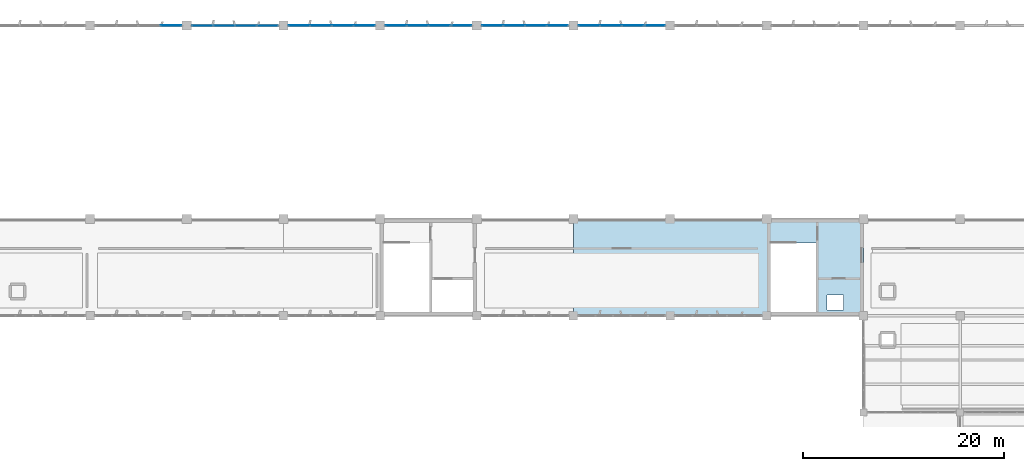
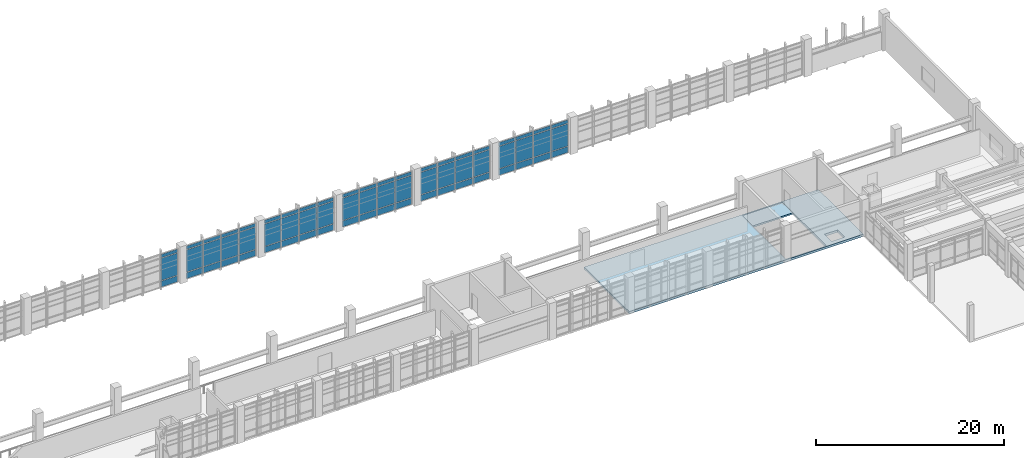
# One storey, part 53 of 86: 63 plates, 2 slabs, 6 elements without a shape of their own.
"""IFC4 building model written with IfcOpenShell, lengths in metres."""

from ifc_helpers import new_model, si_unit, direction, frame, origin, origin_2d, place, context, subcontext, project, spatial, polyline, rectangle, outline, extrude, material, layer, layer_set, type_object, element, aggregate, save


model = new_model("IFC4")

# Units and contexts
model_context = context("Model", 3, precision=1e-05, world=origin(), true_north=direction((0.0, 1.0)))
body_context = subcontext(model_context, "Body", "Model", "MODEL_VIEW")
ifc_project = project(units=[si_unit("LENGTHUNIT", "METRE"), si_unit("AREAUNIT", "SQUARE_METRE"), si_unit("VOLUMEUNIT", "CUBIC_METRE"), si_unit("PLANEANGLEUNIT", "RADIAN"), si_unit("MASSUNIT", "GRAM", prefix="KILO")], contexts=[model_context])

# Site, building, storey
site_placement = place(None, origin())
site = spatial("IfcSite", under=ifc_project, at=site_placement, CompositionType="ELEMENT")
building_placement = place(site_placement, origin())
building = spatial("IfcBuilding", under=site, at=building_placement, Name="Kolvemor Railside Polytechnic", CompositionType="ELEMENT")
storey_placement = place(building_placement, frame((0.0, 0.0, 5.39990234375)))
storey = spatial("IfcBuildingStorey", under=building, at=storey_placement, Name="L01", CompositionType="ELEMENT", Elevation=5.39990234375)

# Curtain wall, plates
ifc_material_1 = material(Name="Anodised marine aluminium and laminated low-E glass", Category="aluminium")
ifc_layer_1 = layer(ifc_material_1, 0.179931640625, Name="CW-UNIT-WKS")
ifc_layer_set_1 = layer_set([ifc_layer_1], Name="Anodised marine aluminium and laminated low-E glass")
curtain_wall_type = type_object("IfcCurtainWallType", Name="CW-UNIT-WKS", PredefinedType="USERDEFINED", material=ifc_layer_set_1)
curtain_wall_1_placement = place(storey_placement, origin())
curtain_wall_1 = element("IfcCurtainWall", 1, at=curtain_wall_1_placement, inside=storey, type_object=curtain_wall_type, Name="Curtain Wall L01-010", ObjectType="UNITISED CURTAIN WALL", PredefinedType="USERDEFINED")
ifc_material_2 = material(Name="Hurricane-laminated solar-control low-E glass", Category="glass")
ifc_layer_2 = layer(ifc_material_2, 0.033935546875, Name="CWP-GLZ-07")
ifc_layer_set_2 = layer_set([ifc_layer_2], Name="Hurricane-laminated solar-control low-E glass")
plate_type_1 = type_object("IfcPlateType", Name="CWP-GLZ-07", PredefinedType="CURTAIN_PANEL", material=ifc_layer_set_2)
plate_1_placement = place(storey_placement, frame((75.228759765625, 120.0, 0.074951171875), z_axis=(0.0, 0.0, 1.0), x_axis=(-1.0, 0.0, 0.0)))
plate_1 = element("IfcPlate", 2, at=plate_1_placement, type_object=plate_type_1, Name="CW-WKS panel 1.1", PredefinedType="CURTAIN_PANEL", context=body_context, shape_type="SweptSolid", body=[
    extrude(rectangle(XDim=2.052490234375, YDim=0.033935546875, at=origin_2d()), origin(), (0.0, 0.0, 1.0), 0.78759765625),
])
plate_2_placement = place(storey_placement, frame((75.228759765625, 120.0, 0.9375), z_axis=(0.0, 0.0, 1.0), x_axis=(-1.0, 0.0, 0.0)))
plate_2 = element("IfcPlate", 3, at=plate_2_placement, type_object=plate_type_1, Name="CW-WKS panel 1.2", PredefinedType="CURTAIN_PANEL", context=body_context, shape_type="SweptSolid", body=[
    extrude(rectangle(XDim=2.052490234375, YDim=0.033935546875, at=origin_2d()), origin(), (0.0, 0.0, 1.0), 2.875),
])
plate_3_placement = place(storey_placement, frame((75.228759765625, 120.0, 3.8876953125), z_axis=(0.0, 0.0, 1.0), x_axis=(-1.0, 0.0, 0.0)))
plate_3 = element("IfcPlate", 4, at=plate_3_placement, type_object=plate_type_1, Name="CW-WKS panel 1.3", PredefinedType="CURTAIN_PANEL", context=body_context, shape_type="SweptSolid", body=[
    extrude(rectangle(XDim=2.052490234375, YDim=0.033935546875, at=origin_2d()), origin(), (0.0, 0.0, 1.0), 0.4375),
])
plate_4_placement = place(storey_placement, frame((73.08251953125, 120.0, 0.074951171875), z_axis=(0.0, 0.0, 1.0), x_axis=(-1.0, 0.0, 0.0)))
plate_4 = element("IfcPlate", 5, at=plate_4_placement, type_object=plate_type_1, Name="CW-WKS panel 2.1", PredefinedType="CURTAIN_PANEL", context=body_context, shape_type="SweptSolid", body=[
    extrude(rectangle(XDim=2.090087890625, YDim=0.033935546875, at=origin_2d()), origin(), (0.0, 0.0, 1.0), 0.78759765625),
])
plate_5_placement = place(storey_placement, frame((73.08251953125, 120.0, 0.9375), z_axis=(0.0, 0.0, 1.0), x_axis=(-1.0, 0.0, 0.0)))
plate_5 = element("IfcPlate", 6, at=plate_5_placement, type_object=plate_type_1, Name="CW-WKS panel 2.2", PredefinedType="CURTAIN_PANEL", context=body_context, shape_type="SweptSolid", body=[
    extrude(rectangle(XDim=2.090087890625, YDim=0.033935546875, at=origin_2d()), origin(), (0.0, 0.0, 1.0), 2.875),
])
plate_6_placement = place(storey_placement, frame((73.08251953125, 120.0, 3.8876953125), z_axis=(0.0, 0.0, 1.0), x_axis=(-1.0, 0.0, 0.0)))
plate_6 = element("IfcPlate", 7, at=plate_6_placement, type_object=plate_type_1, Name="CW-WKS panel 2.3", PredefinedType="CURTAIN_PANEL", context=body_context, shape_type="SweptSolid", body=[
    extrude(rectangle(XDim=2.090087890625, YDim=0.033935546875, at=origin_2d()), origin(), (0.0, 0.0, 1.0), 0.4375),
])
plate_7_placement = place(storey_placement, frame((70.91748046875, 120.0, 0.074951171875), z_axis=(0.0, 0.0, 1.0), x_axis=(-1.0, 0.0, 0.0)))
plate_7 = element("IfcPlate", 8, at=plate_7_placement, type_object=plate_type_1, Name="CW-WKS panel 3.1", PredefinedType="CURTAIN_PANEL", context=body_context, shape_type="SweptSolid", body=[
    extrude(rectangle(XDim=2.090087890625, YDim=0.033935546875, at=origin_2d()), origin(), (0.0, 0.0, 1.0), 0.78759765625),
])
plate_8_placement = place(storey_placement, frame((70.91748046875, 120.0, 0.9375), z_axis=(0.0, 0.0, 1.0), x_axis=(-1.0, 0.0, 0.0)))
plate_8 = element("IfcPlate", 9, at=plate_8_placement, type_object=plate_type_1, Name="CW-WKS panel 3.2", PredefinedType="CURTAIN_PANEL", context=body_context, shape_type="SweptSolid", body=[
    extrude(rectangle(XDim=2.090087890625, YDim=0.033935546875, at=origin_2d()), origin(), (0.0, 0.0, 1.0), 2.875),
])
plate_9_placement = place(storey_placement, frame((70.91748046875, 120.0, 3.8876953125), z_axis=(0.0, 0.0, 1.0), x_axis=(-1.0, 0.0, 0.0)))
plate_9 = element("IfcPlate", 10, at=plate_9_placement, type_object=plate_type_1, Name="CW-WKS panel 3.3", PredefinedType="CURTAIN_PANEL", context=body_context, shape_type="SweptSolid", body=[
    extrude(rectangle(XDim=2.090087890625, YDim=0.033935546875, at=origin_2d()), origin(), (0.0, 0.0, 1.0), 0.4375),
])
plate_10_placement = place(storey_placement, frame((68.771240234375, 120.0, 0.074951171875), z_axis=(0.0, 0.0, 1.0), x_axis=(-1.0, 0.0, 0.0)))
plate_10 = element("IfcPlate", 11, at=plate_10_placement, type_object=plate_type_1, Name="CW-WKS panel 4.1", PredefinedType="CURTAIN_PANEL", context=body_context, shape_type="SweptSolid", body=[
    extrude(rectangle(XDim=2.052490234375, YDim=0.033935546875, at=origin_2d()), origin(), (0.0, 0.0, 1.0), 0.78759765625),
])
plate_11_placement = place(storey_placement, frame((68.771240234375, 120.0, 0.9375), z_axis=(0.0, 0.0, 1.0), x_axis=(-1.0, 0.0, 0.0)))
plate_11 = element("IfcPlate", 12, at=plate_11_placement, type_object=plate_type_1, Name="CW-WKS panel 4.2", PredefinedType="CURTAIN_PANEL", context=body_context, shape_type="SweptSolid", body=[
    extrude(rectangle(XDim=2.052490234375, YDim=0.033935546875, at=origin_2d()), origin(), (0.0, 0.0, 1.0), 2.875),
])
plate_12_placement = place(storey_placement, frame((68.771240234375, 120.0, 3.8876953125), z_axis=(0.0, 0.0, 1.0), x_axis=(-1.0, 0.0, 0.0)))
plate_12 = element("IfcPlate", 13, at=plate_12_placement, type_object=plate_type_1, Name="CW-WKS panel 4.3", PredefinedType="CURTAIN_PANEL", context=body_context, shape_type="SweptSolid", body=[
    extrude(rectangle(XDim=2.052490234375, YDim=0.033935546875, at=origin_2d()), origin(), (0.0, 0.0, 1.0), 0.4375),
])
aggregate(curtain_wall_1, [plate_1, plate_2, plate_3, plate_4, plate_5, plate_6, plate_7, plate_8, plate_9, plate_10, plate_11, plate_12])

curtain_wall_2_placement = place(storey_placement, origin())
curtain_wall_2 = element("IfcCurtainWall", 14, at=curtain_wall_2_placement, inside=storey, type_object=curtain_wall_type, Name="Curtain Wall L01-008", ObjectType="UNITISED CURTAIN WALL", PredefinedType="USERDEFINED")
ifc_material_3 = material(Name="Hurricane-laminated solar-control low-E glass", Category="glass")
ifc_layer_3 = layer(ifc_material_3, 0.0380859375, Name="CWP-GLZ-09")
ifc_layer_set_3 = layer_set([ifc_layer_3], Name="Hurricane-laminated solar-control low-E glass")
plate_type_2 = type_object("IfcPlateType", Name="CWP-GLZ-09", PredefinedType="CURTAIN_PANEL", material=ifc_layer_set_3)
plate_13_placement = place(storey_placement, frame((65.628662109375, 120.0, 0.074951171875), z_axis=(0.0, 0.0, 1.0), x_axis=(-1.0, 0.0, 0.0)))
plate_13 = element("IfcPlate", 15, at=plate_13_placement, type_object=plate_type_2, Name="CW-WKS panel 1.1", PredefinedType="CURTAIN_PANEL", context=body_context, shape_type="SweptSolid", body=[
    extrude(rectangle(XDim=2.052490234375, YDim=0.0380859375, at=origin_2d()), origin(), (0.0, 0.0, 1.0), 0.78759765625),
])
plate_14_placement = place(storey_placement, frame((65.628662109375, 120.0, 0.9375), z_axis=(0.0, 0.0, 1.0), x_axis=(-1.0, 0.0, 0.0)))
plate_14 = element("IfcPlate", 16, at=plate_14_placement, type_object=plate_type_2, Name="CW-WKS panel 1.2", PredefinedType="CURTAIN_PANEL", context=body_context, shape_type="SweptSolid", body=[
    extrude(rectangle(XDim=2.052490234375, YDim=0.0380859375, at=origin_2d()), origin(), (0.0, 0.0, 1.0), 2.875),
])
plate_15_placement = place(storey_placement, frame((65.628662109375, 120.0, 3.8876953125), z_axis=(0.0, 0.0, 1.0), x_axis=(-1.0, 0.0, 0.0)))
plate_15 = element("IfcPlate", 17, at=plate_15_placement, type_object=plate_type_2, Name="CW-WKS panel 1.3", PredefinedType="CURTAIN_PANEL", context=body_context, shape_type="SweptSolid", body=[
    extrude(rectangle(XDim=2.052490234375, YDim=0.0380859375, at=origin_2d()), origin(), (0.0, 0.0, 1.0), 0.4375),
])
aggregate(curtain_wall_2, [plate_13, plate_14, plate_15])

curtain_wall_3_placement = place(storey_placement, origin())
curtain_wall_3 = element("IfcCurtainWall", 18, at=curtain_wall_3_placement, inside=storey, type_object=curtain_wall_type, Name="Curtain Wall L01-017", ObjectType="UNITISED CURTAIN WALL", PredefinedType="USERDEFINED")
ifc_material_4 = material(Name="Hurricane-laminated solar-control low-E glass", Category="glass")
ifc_layer_4 = layer(ifc_material_4, 0.0400390625, Name="CWP-GLZ-10")
ifc_layer_set_4 = layer_set([ifc_layer_4], Name="Hurricane-laminated solar-control low-E glass")
plate_type_3 = type_object("IfcPlateType", Name="CWP-GLZ-10", PredefinedType="CURTAIN_PANEL", material=ifc_layer_set_4)
plate_16_placement = place(storey_placement, frame((104.02880859375, 120.0, 0.074951171875), z_axis=(0.0, 0.0, 1.0), x_axis=(-1.0, 0.0, 0.0)))
plate_16 = element("IfcPlate", 19, at=plate_16_placement, type_object=plate_type_3, Name="CW-WKS panel 1.1", PredefinedType="CURTAIN_PANEL", context=body_context, shape_type="SweptSolid", body=[
    extrude(rectangle(XDim=2.052490234375, YDim=0.0400390625, at=origin_2d()), origin(), (0.0, 0.0, 1.0), 0.78759765625),
])
plate_17_placement = place(storey_placement, frame((104.02880859375, 120.0, 0.9375), z_axis=(0.0, 0.0, 1.0), x_axis=(-1.0, 0.0, 0.0)))
plate_17 = element("IfcPlate", 20, at=plate_17_placement, type_object=plate_type_3, Name="CW-WKS panel 1.2", PredefinedType="CURTAIN_PANEL", context=body_context, shape_type="SweptSolid", body=[
    extrude(rectangle(XDim=2.052490234375, YDim=0.0400390625, at=origin_2d()), origin(), (0.0, 0.0, 1.0), 2.875),
])
plate_18_placement = place(storey_placement, frame((104.02880859375, 120.0, 3.8876953125), z_axis=(0.0, 0.0, 1.0), x_axis=(-1.0, 0.0, 0.0)))
plate_18 = element("IfcPlate", 21, at=plate_18_placement, type_object=plate_type_3, Name="CW-WKS panel 1.3", PredefinedType="CURTAIN_PANEL", context=body_context, shape_type="SweptSolid", body=[
    extrude(rectangle(XDim=2.052490234375, YDim=0.0400390625, at=origin_2d()), origin(), (0.0, 0.0, 1.0), 0.4375),
])
plate_19_placement = place(storey_placement, frame((101.882568359375, 120.0, 0.074951171875), z_axis=(0.0, 0.0, 1.0), x_axis=(-1.0, 0.0, 0.0)))
plate_19 = element("IfcPlate", 22, at=plate_19_placement, type_object=plate_type_3, Name="CW-WKS panel 2.1", PredefinedType="CURTAIN_PANEL", context=body_context, shape_type="SweptSolid", body=[
    extrude(rectangle(XDim=2.090087890625, YDim=0.0400390625, at=origin_2d()), origin(), (0.0, 0.0, 1.0), 0.78759765625),
])
plate_20_placement = place(storey_placement, frame((101.882568359375, 120.0, 0.9375), z_axis=(0.0, 0.0, 1.0), x_axis=(-1.0, 0.0, 0.0)))
plate_20 = element("IfcPlate", 23, at=plate_20_placement, type_object=plate_type_3, Name="CW-WKS panel 2.2", PredefinedType="CURTAIN_PANEL", context=body_context, shape_type="SweptSolid", body=[
    extrude(rectangle(XDim=2.090087890625, YDim=0.0400390625, at=origin_2d()), origin(), (0.0, 0.0, 1.0), 2.875),
])
plate_21_placement = place(storey_placement, frame((101.882568359375, 120.0, 3.8876953125), z_axis=(0.0, 0.0, 1.0), x_axis=(-1.0, 0.0, 0.0)))
plate_21 = element("IfcPlate", 24, at=plate_21_placement, type_object=plate_type_3, Name="CW-WKS panel 2.3", PredefinedType="CURTAIN_PANEL", context=body_context, shape_type="SweptSolid", body=[
    extrude(rectangle(XDim=2.090087890625, YDim=0.0400390625, at=origin_2d()), origin(), (0.0, 0.0, 1.0), 0.4375),
])
plate_22_placement = place(storey_placement, frame((99.717529296875, 120.0, 0.074951171875), z_axis=(0.0, 0.0, 1.0), x_axis=(-1.0, 0.0, 0.0)))
plate_22 = element("IfcPlate", 25, at=plate_22_placement, type_object=plate_type_3, Name="CW-WKS panel 3.1", PredefinedType="CURTAIN_PANEL", context=body_context, shape_type="SweptSolid", body=[
    extrude(rectangle(XDim=2.090087890625, YDim=0.0400390625, at=origin_2d()), origin(), (0.0, 0.0, 1.0), 0.78759765625),
])
plate_23_placement = place(storey_placement, frame((99.717529296875, 120.0, 0.9375), z_axis=(0.0, 0.0, 1.0), x_axis=(-1.0, 0.0, 0.0)))
plate_23 = element("IfcPlate", 26, at=plate_23_placement, type_object=plate_type_3, Name="CW-WKS panel 3.2", PredefinedType="CURTAIN_PANEL", context=body_context, shape_type="SweptSolid", body=[
    extrude(rectangle(XDim=2.090087890625, YDim=0.0400390625, at=origin_2d()), origin(), (0.0, 0.0, 1.0), 2.875),
])
plate_24_placement = place(storey_placement, frame((99.717529296875, 120.0, 3.8876953125), z_axis=(0.0, 0.0, 1.0), x_axis=(-1.0, 0.0, 0.0)))
plate_24 = element("IfcPlate", 27, at=plate_24_placement, type_object=plate_type_3, Name="CW-WKS panel 3.3", PredefinedType="CURTAIN_PANEL", context=body_context, shape_type="SweptSolid", body=[
    extrude(rectangle(XDim=2.090087890625, YDim=0.0400390625, at=origin_2d()), origin(), (0.0, 0.0, 1.0), 0.4375),
])
plate_25_placement = place(storey_placement, frame((97.5712890625, 120.0, 0.074951171875), z_axis=(0.0, 0.0, 1.0), x_axis=(-1.0, 0.0, 0.0)))
plate_25 = element("IfcPlate", 28, at=plate_25_placement, type_object=plate_type_3, Name="CW-WKS panel 4.1", PredefinedType="CURTAIN_PANEL", context=body_context, shape_type="SweptSolid", body=[
    extrude(rectangle(XDim=2.052490234375, YDim=0.0400390625, at=origin_2d()), origin(), (0.0, 0.0, 1.0), 0.78759765625),
])
plate_26_placement = place(storey_placement, frame((97.5712890625, 120.0, 0.9375), z_axis=(0.0, 0.0, 1.0), x_axis=(-1.0, 0.0, 0.0)))
plate_26 = element("IfcPlate", 29, at=plate_26_placement, type_object=plate_type_3, Name="CW-WKS panel 4.2", PredefinedType="CURTAIN_PANEL", context=body_context, shape_type="SweptSolid", body=[
    extrude(rectangle(XDim=2.052490234375, YDim=0.0400390625, at=origin_2d()), origin(), (0.0, 0.0, 1.0), 2.875),
])
plate_27_placement = place(storey_placement, frame((97.5712890625, 120.0, 3.8876953125), z_axis=(0.0, 0.0, 1.0), x_axis=(-1.0, 0.0, 0.0)))
plate_27 = element("IfcPlate", 30, at=plate_27_placement, type_object=plate_type_3, Name="CW-WKS panel 4.3", PredefinedType="CURTAIN_PANEL", context=body_context, shape_type="SweptSolid", body=[
    extrude(rectangle(XDim=2.052490234375, YDim=0.0400390625, at=origin_2d()), origin(), (0.0, 0.0, 1.0), 0.4375),
])
aggregate(curtain_wall_3, [plate_16, plate_17, plate_18, plate_19, plate_20, plate_21, plate_22, plate_23, plate_24, plate_25, plate_26, plate_27])

curtain_wall_4_placement = place(storey_placement, origin())
curtain_wall_4 = element("IfcCurtainWall", 31, at=curtain_wall_4_placement, inside=storey, type_object=curtain_wall_type, Name="Curtain Wall L01-013", ObjectType="UNITISED CURTAIN WALL", PredefinedType="USERDEFINED")
ifc_material_5 = material(Name="Hurricane-laminated solar-control low-E glass", Category="glass")
ifc_layer_5 = layer(ifc_material_5, 0.0419921875, Name="CWP-GLZ-11")
ifc_layer_set_5 = layer_set([ifc_layer_5], Name="Hurricane-laminated solar-control low-E glass")
plate_type_4 = type_object("IfcPlateType", Name="CWP-GLZ-11", PredefinedType="CURTAIN_PANEL", material=ifc_layer_set_5)
plate_28_placement = place(storey_placement, frame((84.828857421875, 120.0, 0.074951171875), z_axis=(0.0, 0.0, 1.0), x_axis=(-1.0, 0.0, 0.0)))
plate_28 = element("IfcPlate", 32, at=plate_28_placement, type_object=plate_type_4, Name="CW-WKS panel 1.1", PredefinedType="CURTAIN_PANEL", context=body_context, shape_type="SweptSolid", body=[
    extrude(rectangle(XDim=2.052490234375, YDim=0.0419921875, at=origin_2d()), origin(), (0.0, 0.0, 1.0), 0.78759765625),
])
plate_29_placement = place(storey_placement, frame((84.828857421875, 120.0, 0.9375), z_axis=(0.0, 0.0, 1.0), x_axis=(-1.0, 0.0, 0.0)))
plate_29 = element("IfcPlate", 33, at=plate_29_placement, type_object=plate_type_4, Name="CW-WKS panel 1.2", PredefinedType="CURTAIN_PANEL", context=body_context, shape_type="SweptSolid", body=[
    extrude(rectangle(XDim=2.052490234375, YDim=0.0419921875, at=origin_2d()), origin(), (0.0, 0.0, 1.0), 2.875),
])
plate_30_placement = place(storey_placement, frame((84.828857421875, 120.0, 3.8876953125), z_axis=(0.0, 0.0, 1.0), x_axis=(-1.0, 0.0, 0.0)))
plate_30 = element("IfcPlate", 34, at=plate_30_placement, type_object=plate_type_4, Name="CW-WKS panel 1.3", PredefinedType="CURTAIN_PANEL", context=body_context, shape_type="SweptSolid", body=[
    extrude(rectangle(XDim=2.052490234375, YDim=0.0419921875, at=origin_2d()), origin(), (0.0, 0.0, 1.0), 0.4375),
])
plate_31_placement = place(storey_placement, frame((82.6826171875, 120.0, 0.074951171875), z_axis=(0.0, 0.0, 1.0), x_axis=(-1.0, 0.0, 0.0)))
plate_31 = element("IfcPlate", 35, at=plate_31_placement, type_object=plate_type_4, Name="CW-WKS panel 2.1", PredefinedType="CURTAIN_PANEL", context=body_context, shape_type="SweptSolid", body=[
    extrude(rectangle(XDim=2.090087890625, YDim=0.0419921875, at=origin_2d()), origin(), (0.0, 0.0, 1.0), 0.78759765625),
])
plate_32_placement = place(storey_placement, frame((82.6826171875, 120.0, 0.9375), z_axis=(0.0, 0.0, 1.0), x_axis=(-1.0, 0.0, 0.0)))
plate_32 = element("IfcPlate", 36, at=plate_32_placement, type_object=plate_type_4, Name="CW-WKS panel 2.2", PredefinedType="CURTAIN_PANEL", context=body_context, shape_type="SweptSolid", body=[
    extrude(rectangle(XDim=2.090087890625, YDim=0.0419921875, at=origin_2d()), origin(), (0.0, 0.0, 1.0), 2.875),
])
plate_33_placement = place(storey_placement, frame((82.6826171875, 120.0, 3.8876953125), z_axis=(0.0, 0.0, 1.0), x_axis=(-1.0, 0.0, 0.0)))
plate_33 = element("IfcPlate", 37, at=plate_33_placement, type_object=plate_type_4, Name="CW-WKS panel 2.3", PredefinedType="CURTAIN_PANEL", context=body_context, shape_type="SweptSolid", body=[
    extrude(rectangle(XDim=2.090087890625, YDim=0.0419921875, at=origin_2d()), origin(), (0.0, 0.0, 1.0), 0.4375),
])
plate_34_placement = place(storey_placement, frame((80.517578125, 120.0, 0.074951171875), z_axis=(0.0, 0.0, 1.0), x_axis=(-1.0, 0.0, 0.0)))
plate_34 = element("IfcPlate", 38, at=plate_34_placement, type_object=plate_type_4, Name="CW-WKS panel 3.1", PredefinedType="CURTAIN_PANEL", context=body_context, shape_type="SweptSolid", body=[
    extrude(rectangle(XDim=2.090087890625, YDim=0.0419921875, at=origin_2d()), origin(), (0.0, 0.0, 1.0), 0.78759765625),
])
plate_35_placement = place(storey_placement, frame((80.517578125, 120.0, 0.9375), z_axis=(0.0, 0.0, 1.0), x_axis=(-1.0, 0.0, 0.0)))
plate_35 = element("IfcPlate", 39, at=plate_35_placement, type_object=plate_type_4, Name="CW-WKS panel 3.2", PredefinedType="CURTAIN_PANEL", context=body_context, shape_type="SweptSolid", body=[
    extrude(rectangle(XDim=2.090087890625, YDim=0.0419921875, at=origin_2d()), origin(), (0.0, 0.0, 1.0), 2.875),
])
plate_36_placement = place(storey_placement, frame((80.517578125, 120.0, 3.8876953125), z_axis=(0.0, 0.0, 1.0), x_axis=(-1.0, 0.0, 0.0)))
plate_36 = element("IfcPlate", 40, at=plate_36_placement, type_object=plate_type_4, Name="CW-WKS panel 3.3", PredefinedType="CURTAIN_PANEL", context=body_context, shape_type="SweptSolid", body=[
    extrude(rectangle(XDim=2.090087890625, YDim=0.0419921875, at=origin_2d()), origin(), (0.0, 0.0, 1.0), 0.4375),
])
plate_37_placement = place(storey_placement, frame((78.371337890625, 120.0, 0.074951171875), z_axis=(0.0, 0.0, 1.0), x_axis=(-1.0, 0.0, 0.0)))
plate_37 = element("IfcPlate", 41, at=plate_37_placement, type_object=plate_type_4, Name="CW-WKS panel 4.1", PredefinedType="CURTAIN_PANEL", context=body_context, shape_type="SweptSolid", body=[
    extrude(rectangle(XDim=2.052490234375, YDim=0.0419921875, at=origin_2d()), origin(), (0.0, 0.0, 1.0), 0.78759765625),
])
plate_38_placement = place(storey_placement, frame((78.371337890625, 120.0, 0.9375), z_axis=(0.0, 0.0, 1.0), x_axis=(-1.0, 0.0, 0.0)))
plate_38 = element("IfcPlate", 42, at=plate_38_placement, type_object=plate_type_4, Name="CW-WKS panel 4.2", PredefinedType="CURTAIN_PANEL", context=body_context, shape_type="SweptSolid", body=[
    extrude(rectangle(XDim=2.052490234375, YDim=0.0419921875, at=origin_2d()), origin(), (0.0, 0.0, 1.0), 2.875),
])
plate_39_placement = place(storey_placement, frame((78.371337890625, 120.0, 3.8876953125), z_axis=(0.0, 0.0, 1.0), x_axis=(-1.0, 0.0, 0.0)))
plate_39 = element("IfcPlate", 43, at=plate_39_placement, type_object=plate_type_4, Name="CW-WKS panel 4.3", PredefinedType="CURTAIN_PANEL", context=body_context, shape_type="SweptSolid", body=[
    extrude(rectangle(XDim=2.052490234375, YDim=0.0419921875, at=origin_2d()), origin(), (0.0, 0.0, 1.0), 0.4375),
])
aggregate(curtain_wall_4, [plate_28, plate_29, plate_30, plate_31, plate_32, plate_33, plate_34, plate_35, plate_36, plate_37, plate_38, plate_39])

curtain_wall_5_placement = place(storey_placement, origin())
curtain_wall_5 = element("IfcCurtainWall", 44, at=curtain_wall_5_placement, inside=storey, type_object=curtain_wall_type, Name="Curtain Wall L01-016", ObjectType="UNITISED CURTAIN WALL", PredefinedType="USERDEFINED")
ifc_material_6 = material(Name="Hurricane-laminated solar-control low-E glass", Category="glass")
ifc_layer_6 = layer(ifc_material_6, 0.0439453125, Name="CWP-GLZ-12")
ifc_layer_set_6 = layer_set([ifc_layer_6], Name="Hurricane-laminated solar-control low-E glass")
plate_type_5 = type_object("IfcPlateType", Name="CWP-GLZ-12", PredefinedType="CURTAIN_PANEL", material=ifc_layer_set_6)
plate_40_placement = place(storey_placement, frame((94.4287109375, 120.0, 0.074951171875), z_axis=(0.0, 0.0, 1.0), x_axis=(-1.0, 0.0, 0.0)))
plate_40 = element("IfcPlate", 45, at=plate_40_placement, type_object=plate_type_5, Name="CW-WKS panel 1.1", PredefinedType="CURTAIN_PANEL", context=body_context, shape_type="SweptSolid", body=[
    extrude(rectangle(XDim=2.052490234375, YDim=0.0439453125, at=origin_2d()), origin(), (0.0, 0.0, 1.0), 0.78759765625),
])
plate_41_placement = place(storey_placement, frame((94.4287109375, 120.0, 0.9375), z_axis=(0.0, 0.0, 1.0), x_axis=(-1.0, 0.0, 0.0)))
plate_41 = element("IfcPlate", 46, at=plate_41_placement, type_object=plate_type_5, Name="CW-WKS panel 1.2", PredefinedType="CURTAIN_PANEL", context=body_context, shape_type="SweptSolid", body=[
    extrude(rectangle(XDim=2.052490234375, YDim=0.0439453125, at=origin_2d()), origin(), (0.0, 0.0, 1.0), 2.875),
])
plate_42_placement = place(storey_placement, frame((94.4287109375, 120.0, 3.8876953125), z_axis=(0.0, 0.0, 1.0), x_axis=(-1.0, 0.0, 0.0)))
plate_42 = element("IfcPlate", 47, at=plate_42_placement, type_object=plate_type_5, Name="CW-WKS panel 1.3", PredefinedType="CURTAIN_PANEL", context=body_context, shape_type="SweptSolid", body=[
    extrude(rectangle(XDim=2.052490234375, YDim=0.0439453125, at=origin_2d()), origin(), (0.0, 0.0, 1.0), 0.4375),
])
plate_43_placement = place(storey_placement, frame((92.282470703125, 120.0, 0.074951171875), z_axis=(0.0, 0.0, 1.0), x_axis=(-1.0, 0.0, 0.0)))
plate_43 = element("IfcPlate", 48, at=plate_43_placement, type_object=plate_type_5, Name="CW-WKS panel 2.1", PredefinedType="CURTAIN_PANEL", context=body_context, shape_type="SweptSolid", body=[
    extrude(rectangle(XDim=2.090087890625, YDim=0.0439453125, at=origin_2d()), origin(), (0.0, 0.0, 1.0), 0.78759765625),
])
plate_44_placement = place(storey_placement, frame((92.282470703125, 120.0, 0.9375), z_axis=(0.0, 0.0, 1.0), x_axis=(-1.0, 0.0, 0.0)))
plate_44 = element("IfcPlate", 49, at=plate_44_placement, type_object=plate_type_5, Name="CW-WKS panel 2.2", PredefinedType="CURTAIN_PANEL", context=body_context, shape_type="SweptSolid", body=[
    extrude(rectangle(XDim=2.090087890625, YDim=0.0439453125, at=origin_2d()), origin(), (0.0, 0.0, 1.0), 2.875),
])
plate_45_placement = place(storey_placement, frame((92.282470703125, 120.0, 3.8876953125), z_axis=(0.0, 0.0, 1.0), x_axis=(-1.0, 0.0, 0.0)))
plate_45 = element("IfcPlate", 50, at=plate_45_placement, type_object=plate_type_5, Name="CW-WKS panel 2.3", PredefinedType="CURTAIN_PANEL", context=body_context, shape_type="SweptSolid", body=[
    extrude(rectangle(XDim=2.090087890625, YDim=0.0439453125, at=origin_2d()), origin(), (0.0, 0.0, 1.0), 0.4375),
])
plate_46_placement = place(storey_placement, frame((90.117431640625, 120.0, 0.074951171875), z_axis=(0.0, 0.0, 1.0), x_axis=(-1.0, 0.0, 0.0)))
plate_46 = element("IfcPlate", 51, at=plate_46_placement, type_object=plate_type_5, Name="CW-WKS panel 3.1", PredefinedType="CURTAIN_PANEL", context=body_context, shape_type="SweptSolid", body=[
    extrude(rectangle(XDim=2.090087890625, YDim=0.0439453125, at=origin_2d()), origin(), (0.0, 0.0, 1.0), 0.78759765625),
])
plate_47_placement = place(storey_placement, frame((90.117431640625, 120.0, 0.9375), z_axis=(0.0, 0.0, 1.0), x_axis=(-1.0, 0.0, 0.0)))
plate_47 = element("IfcPlate", 52, at=plate_47_placement, type_object=plate_type_5, Name="CW-WKS panel 3.2", PredefinedType="CURTAIN_PANEL", context=body_context, shape_type="SweptSolid", body=[
    extrude(rectangle(XDim=2.090087890625, YDim=0.0439453125, at=origin_2d()), origin(), (0.0, 0.0, 1.0), 2.875),
])
plate_48_placement = place(storey_placement, frame((90.117431640625, 120.0, 3.8876953125), z_axis=(0.0, 0.0, 1.0), x_axis=(-1.0, 0.0, 0.0)))
plate_48 = element("IfcPlate", 53, at=plate_48_placement, type_object=plate_type_5, Name="CW-WKS panel 3.3", PredefinedType="CURTAIN_PANEL", context=body_context, shape_type="SweptSolid", body=[
    extrude(rectangle(XDim=2.090087890625, YDim=0.0439453125, at=origin_2d()), origin(), (0.0, 0.0, 1.0), 0.4375),
])
plate_49_placement = place(storey_placement, frame((87.97119140625, 120.0, 0.074951171875), z_axis=(0.0, 0.0, 1.0), x_axis=(-1.0, 0.0, 0.0)))
plate_49 = element("IfcPlate", 54, at=plate_49_placement, type_object=plate_type_5, Name="CW-WKS panel 4.1", PredefinedType="CURTAIN_PANEL", context=body_context, shape_type="SweptSolid", body=[
    extrude(rectangle(XDim=2.052490234375, YDim=0.0439453125, at=origin_2d()), origin(), (0.0, 0.0, 1.0), 0.78759765625),
])
plate_50_placement = place(storey_placement, frame((87.97119140625, 120.0, 0.9375), z_axis=(0.0, 0.0, 1.0), x_axis=(-1.0, 0.0, 0.0)))
plate_50 = element("IfcPlate", 55, at=plate_50_placement, type_object=plate_type_5, Name="CW-WKS panel 4.2", PredefinedType="CURTAIN_PANEL", context=body_context, shape_type="SweptSolid", body=[
    extrude(rectangle(XDim=2.052490234375, YDim=0.0439453125, at=origin_2d()), origin(), (0.0, 0.0, 1.0), 2.875),
])
plate_51_placement = place(storey_placement, frame((87.97119140625, 120.0, 3.8876953125), z_axis=(0.0, 0.0, 1.0), x_axis=(-1.0, 0.0, 0.0)))
plate_51 = element("IfcPlate", 56, at=plate_51_placement, type_object=plate_type_5, Name="CW-WKS panel 4.3", PredefinedType="CURTAIN_PANEL", context=body_context, shape_type="SweptSolid", body=[
    extrude(rectangle(XDim=2.052490234375, YDim=0.0439453125, at=origin_2d()), origin(), (0.0, 0.0, 1.0), 0.4375),
])
aggregate(curtain_wall_5, [plate_40, plate_41, plate_42, plate_43, plate_44, plate_45, plate_46, plate_47, plate_48, plate_49, plate_50, plate_51])

curtain_wall_6_placement = place(storey_placement, origin())
curtain_wall_6 = element("IfcCurtainWall", 57, at=curtain_wall_6_placement, inside=storey, type_object=curtain_wall_type, Name="Curtain Wall L01-020", ObjectType="UNITISED CURTAIN WALL", PredefinedType="USERDEFINED")
ifc_material_7 = material(Name="Hurricane-laminated solar-control low-E glass", Category="glass")
ifc_layer_7 = layer(ifc_material_7, 0.048095703125, Name="CWP-GLZ-14")
ifc_layer_set_7 = layer_set([ifc_layer_7], Name="Hurricane-laminated solar-control low-E glass")
plate_type_6 = type_object("IfcPlateType", Name="CWP-GLZ-14", PredefinedType="CURTAIN_PANEL", material=ifc_layer_set_7)
plate_52_placement = place(storey_placement, frame((113.628662109375, 120.0, 0.074951171875), z_axis=(0.0, 0.0, 1.0), x_axis=(-1.0, 0.0, 0.0)))
plate_52 = element("IfcPlate", 58, at=plate_52_placement, type_object=plate_type_6, Name="CW-WKS panel 1.1", PredefinedType="CURTAIN_PANEL", context=body_context, shape_type="SweptSolid", body=[
    extrude(rectangle(XDim=2.052490234375, YDim=0.048095703125, at=origin_2d()), origin(), (0.0, 0.0, 1.0), 0.78759765625),
])
plate_53_placement = place(storey_placement, frame((113.628662109375, 120.0, 0.9375), z_axis=(0.0, 0.0, 1.0), x_axis=(-1.0, 0.0, 0.0)))
plate_53 = element("IfcPlate", 59, at=plate_53_placement, type_object=plate_type_6, Name="CW-WKS panel 1.2", PredefinedType="CURTAIN_PANEL", context=body_context, shape_type="SweptSolid", body=[
    extrude(rectangle(XDim=2.052490234375, YDim=0.048095703125, at=origin_2d()), origin(), (0.0, 0.0, 1.0), 2.875),
])
plate_54_placement = place(storey_placement, frame((113.628662109375, 120.0, 3.8876953125), z_axis=(0.0, 0.0, 1.0), x_axis=(-1.0, 0.0, 0.0)))
plate_54 = element("IfcPlate", 60, at=plate_54_placement, type_object=plate_type_6, Name="CW-WKS panel 1.3", PredefinedType="CURTAIN_PANEL", context=body_context, shape_type="SweptSolid", body=[
    extrude(rectangle(XDim=2.052490234375, YDim=0.048095703125, at=origin_2d()), origin(), (0.0, 0.0, 1.0), 0.4375),
])
plate_55_placement = place(storey_placement, frame((111.482421875, 120.0, 0.074951171875), z_axis=(0.0, 0.0, 1.0), x_axis=(-1.0, 0.0, 0.0)))
plate_55 = element("IfcPlate", 61, at=plate_55_placement, type_object=plate_type_6, Name="CW-WKS panel 2.1", PredefinedType="CURTAIN_PANEL", context=body_context, shape_type="SweptSolid", body=[
    extrude(rectangle(XDim=2.090087890625, YDim=0.048095703125, at=origin_2d()), origin(), (0.0, 0.0, 1.0), 0.78759765625),
])
plate_56_placement = place(storey_placement, frame((111.482421875, 120.0, 0.9375), z_axis=(0.0, 0.0, 1.0), x_axis=(-1.0, 0.0, 0.0)))
plate_56 = element("IfcPlate", 62, at=plate_56_placement, type_object=plate_type_6, Name="CW-WKS panel 2.2", PredefinedType="CURTAIN_PANEL", context=body_context, shape_type="SweptSolid", body=[
    extrude(rectangle(XDim=2.090087890625, YDim=0.048095703125, at=origin_2d()), origin(), (0.0, 0.0, 1.0), 2.875),
])
plate_57_placement = place(storey_placement, frame((111.482421875, 120.0, 3.8876953125), z_axis=(0.0, 0.0, 1.0), x_axis=(-1.0, 0.0, 0.0)))
plate_57 = element("IfcPlate", 63, at=plate_57_placement, type_object=plate_type_6, Name="CW-WKS panel 2.3", PredefinedType="CURTAIN_PANEL", context=body_context, shape_type="SweptSolid", body=[
    extrude(rectangle(XDim=2.090087890625, YDim=0.048095703125, at=origin_2d()), origin(), (0.0, 0.0, 1.0), 0.4375),
])
plate_58_placement = place(storey_placement, frame((109.3173828125, 120.0, 0.074951171875), z_axis=(0.0, 0.0, 1.0), x_axis=(-1.0, 0.0, 0.0)))
plate_58 = element("IfcPlate", 64, at=plate_58_placement, type_object=plate_type_6, Name="CW-WKS panel 3.1", PredefinedType="CURTAIN_PANEL", context=body_context, shape_type="SweptSolid", body=[
    extrude(rectangle(XDim=2.090087890625, YDim=0.048095703125, at=origin_2d()), origin(), (0.0, 0.0, 1.0), 0.78759765625),
])
plate_59_placement = place(storey_placement, frame((109.3173828125, 120.0, 0.9375), z_axis=(0.0, 0.0, 1.0), x_axis=(-1.0, 0.0, 0.0)))
plate_59 = element("IfcPlate", 65, at=plate_59_placement, type_object=plate_type_6, Name="CW-WKS panel 3.2", PredefinedType="CURTAIN_PANEL", context=body_context, shape_type="SweptSolid", body=[
    extrude(rectangle(XDim=2.090087890625, YDim=0.048095703125, at=origin_2d()), origin(), (0.0, 0.0, 1.0), 2.875),
])
plate_60_placement = place(storey_placement, frame((109.3173828125, 120.0, 3.8876953125), z_axis=(0.0, 0.0, 1.0), x_axis=(-1.0, 0.0, 0.0)))
plate_60 = element("IfcPlate", 66, at=plate_60_placement, type_object=plate_type_6, Name="CW-WKS panel 3.3", PredefinedType="CURTAIN_PANEL", context=body_context, shape_type="SweptSolid", body=[
    extrude(rectangle(XDim=2.090087890625, YDim=0.048095703125, at=origin_2d()), origin(), (0.0, 0.0, 1.0), 0.4375),
])
plate_61_placement = place(storey_placement, frame((107.171142578125, 120.0, 0.074951171875), z_axis=(0.0, 0.0, 1.0), x_axis=(-1.0, 0.0, 0.0)))
plate_61 = element("IfcPlate", 67, at=plate_61_placement, type_object=plate_type_6, Name="CW-WKS panel 4.1", PredefinedType="CURTAIN_PANEL", context=body_context, shape_type="SweptSolid", body=[
    extrude(rectangle(XDim=2.052490234375, YDim=0.048095703125, at=origin_2d()), origin(), (0.0, 0.0, 1.0), 0.78759765625),
])
plate_62_placement = place(storey_placement, frame((107.171142578125, 120.0, 0.9375), z_axis=(0.0, 0.0, 1.0), x_axis=(-1.0, 0.0, 0.0)))
plate_62 = element("IfcPlate", 68, at=plate_62_placement, type_object=plate_type_6, Name="CW-WKS panel 4.2", PredefinedType="CURTAIN_PANEL", context=body_context, shape_type="SweptSolid", body=[
    extrude(rectangle(XDim=2.052490234375, YDim=0.048095703125, at=origin_2d()), origin(), (0.0, 0.0, 1.0), 2.875),
])
plate_63_placement = place(storey_placement, frame((107.171142578125, 120.0, 3.8876953125), z_axis=(0.0, 0.0, 1.0), x_axis=(-1.0, 0.0, 0.0)))
plate_63 = element("IfcPlate", 69, at=plate_63_placement, type_object=plate_type_6, Name="CW-WKS panel 4.3", PredefinedType="CURTAIN_PANEL", context=body_context, shape_type="SweptSolid", body=[
    extrude(rectangle(XDim=2.052490234375, YDim=0.048095703125, at=origin_2d()), origin(), (0.0, 0.0, 1.0), 0.4375),
])
aggregate(curtain_wall_6, [plate_52, plate_53, plate_54, plate_55, plate_56, plate_57, plate_58, plate_59, plate_60, plate_61, plate_62, plate_63])

# Slabs
ifc_material_8 = material(Name="Concrete C40/50", Category="concrete")
ifc_layer_8 = layer(ifc_material_8, 0.199951171875, Name="SLB-LND-200")
ifc_layer_set_8 = layer_set([ifc_layer_8], Name="Concrete C40/50")
slab_type_1 = type_object("IfcSlabType", Name="SLB-LND-200", PredefinedType="LANDING", material=ifc_layer_set_8)
slab_1_placement = place(storey_placement, frame((0.0, 0.0, -0.199951171875)))
element("IfcSlab", 70, at=slab_1_placement, inside=storey, type_object=slab_type_1, Name="ST-9 Floor Landing L01", PredefinedType="LANDING", context=body_context, shape_type="SweptSolid", body=[
    extrude(outline(polyline([(124.9599609375, 98.39990234375), (129.889892578125, 98.39990234375), (129.889892578125, 100.639892578125), (124.9599609375, 100.639892578125), (124.9599609375, 98.39990234375)])), origin(), (0.0, 0.0, 1.0), 0.199951171875),
])
ifc_material_9 = material(Name="Concrete C40/50", Category="concrete")
ifc_layer_9 = layer(ifc_material_9, 0.2900390625, Name="SLB-POD-GAL")
ifc_layer_set_9 = layer_set([ifc_layer_9], Name="Concrete C40/50")
slab_type_2 = type_object("IfcSlabType", Name="SLB-POD-GAL", PredefinedType="FLOOR", material=ifc_layer_set_9)
slab_2_placement = place(storey_placement, frame((0.0, 0.0, -0.289794921875)))
element("IfcSlab", 71, at=slab_2_placement, inside=storey, type_object=slab_type_2, Name="Workshop Crane Gallery Slab L01-41", PredefinedType="FLOOR", context=body_context, shape_type="SweptSolid", body=[
    extrude(outline(polyline([(105.60009765625, 91.199951171875), (134.39990234375, 91.199951171875), (134.39990234375, 100.800048828125), (105.60009765625, 100.800048828125), (105.60009765625, 91.199951171875)]), holes=[polyline([(124.93994140625, 91.340087890625), (129.909912109375, 91.340087890625), (129.909912109375, 100.659912109375), (124.93994140625, 100.659912109375), (124.93994140625, 91.340087890625)]), polyline([(130.800048828125, 91.75), (132.39990234375, 91.75), (132.39990234375, 93.25), (130.800048828125, 93.25), (130.800048828125, 91.75)])]), origin(), (0.0, 0.0, 1.0), 0.289794921875),
])

save(model, "model.ifc")
